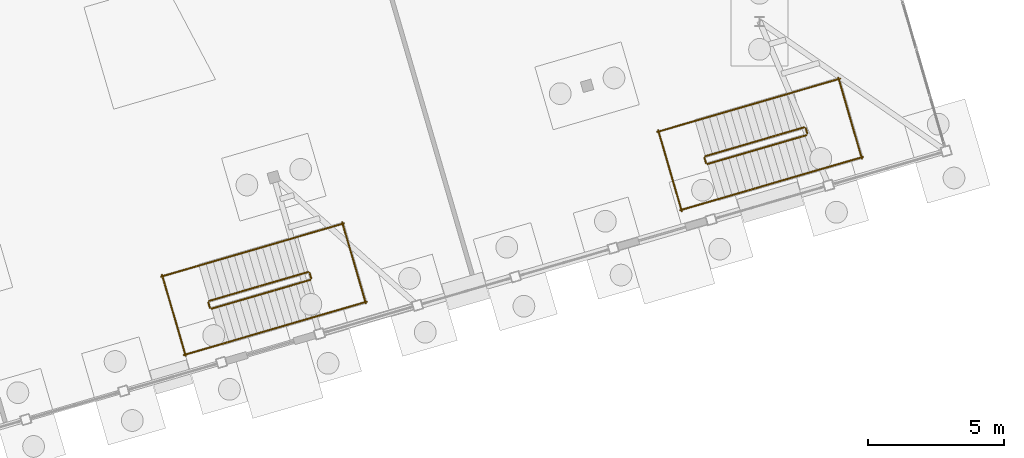
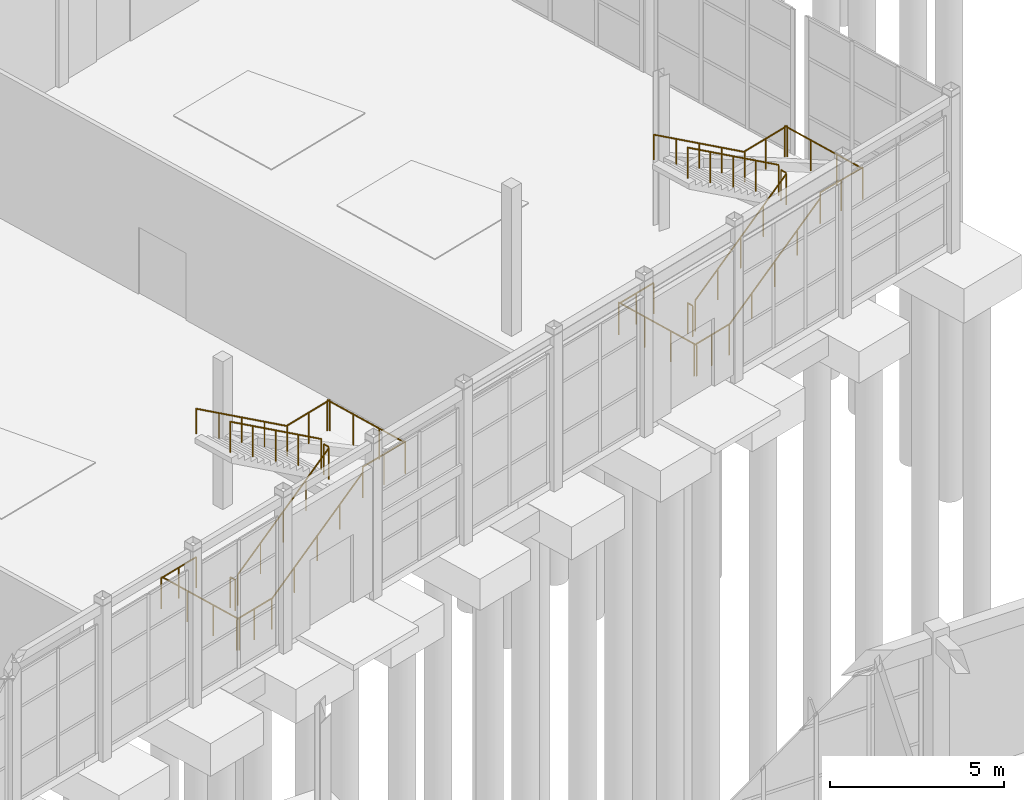
# One storey, part 82 of 90: 24 railings.
"""IFC4 building model written with IfcOpenShell, lengths in metres."""

from ifc_helpers import new_model, si_unit, direction, frame, origin, origin_2d, place, context, subcontext, project, spatial, circle, extrude, material, type_object, element, save


model = new_model("IFC4")

# Units and contexts
model_context = context("Model", 3, precision=1e-05, world=origin(), true_north=direction((0.0, 1.0)))
body_context = subcontext(model_context, "Body", "Model", "MODEL_VIEW")
ifc_project = project(units=[si_unit("LENGTHUNIT", "METRE"), si_unit("AREAUNIT", "SQUARE_METRE"), si_unit("VOLUMEUNIT", "CUBIC_METRE"), si_unit("PLANEANGLEUNIT", "RADIAN"), si_unit("MASSUNIT", "GRAM", prefix="KILO")], contexts=[model_context])

# Site, building, storey
site_placement = place(None, origin())
site = spatial("IfcSite", under=ifc_project, at=site_placement, CompositionType="ELEMENT")
building_placement = place(site_placement, origin())
building = spatial("IfcBuilding", under=site, at=building_placement, Name="Canggui Botanical Conservatory", CompositionType="ELEMENT")
storey_placement = place(building_placement, origin())
storey = spatial("IfcBuildingStorey", under=building, at=storey_placement, Name="L01", CompositionType="ELEMENT", Elevation=0.0)

# Railings
ifc_material = material(Name="Stainless Steel 304", Category="steel")
railing_type_1 = type_object("IfcRailingType", Name="RAIL-GUARD-1100", PredefinedType="BALUSTRADE", material=ifc_material)
railing_1_placement = place(storey_placement, frame((44.83203125, 51.325927734375, 0.179931640625)))
element("IfcRailing", 1, at=railing_1_placement, inside=storey, type_object=railing_type_1, Name="L01 ST-C1 stair guard 1", PredefinedType="BALUSTRADE", context=body_context, shape_type="SweptSolid", body=[
    extrude(circle(Radius=0.02392578125, at=origin_2d()), frame((0.0, 0.0, 1.076171875), z_axis=(0.798747453292, 0.233019508678, 0.554711108988), x_axis=(-0.280057044335, 0.95998336023, 0.0)), (0.0, 0.0, 1.0), 4.54296875),
    extrude(circle(Radius=0.02099609375, at=origin_2d()), origin(), (0.0, 0.0, 1.0), 1.052001953125),
    extrude(circle(Radius=0.02099609375, at=origin_2d()), frame((0.9072265625, 0.2646484375, 0.6298828125)), (0.0, 0.0, 1.0), 1.052001953125),
    extrude(circle(Radius=0.02099609375, at=origin_2d()), frame((1.814453125, 0.529296875, 1.260009765625)), (0.0, 0.0, 1.0), 1.052001953125),
    extrude(circle(Radius=0.02099609375, at=origin_2d()), frame((2.721435546875, 0.7939453125, 1.89013671875)), (0.0, 0.0, 1.0), 1.052001953125),
    extrude(circle(Radius=0.02099609375, at=origin_2d()), frame((3.628662109375, 1.05859375, 2.52001953125)), (0.0, 0.0, 1.0), 1.052001953125),
])
railing_2_placement = place(storey_placement, frame((48.494873046875, 52.4462890625, 2.699951171875)))
element("IfcRailing", 2, at=railing_2_placement, inside=storey, type_object=railing_type_1, Name="L01 ST-C1 stair guard 2", PredefinedType="BALUSTRADE", context=body_context, shape_type="SweptSolid", body=[
    extrude(circle(Radius=0.02392578125, at=origin_2d()), frame((0.0, 0.0, 1.076171875), z_axis=(-0.280515131821, 0.959849603229, 0.0), x_axis=(-0.959849603229, -0.280515131821, 0.0)), (0.0, 0.0, 1.0), 0.2001953125),
    extrude(circle(Radius=0.02099609375, at=origin_2d()), origin(), (0.0, 0.0, 1.0), 1.052001953125),
    extrude(circle(Radius=0.02099609375, at=origin_2d()), frame((-0.05615234375, 0.192138671875, 0.0)), (0.0, 0.0, 1.0), 1.052001953125),
])
for number, where, name in (
    (3, (48.8388671875, 51.08837890625, 2.699951171875), "L01 ST-C1 stair guard 3"),
    (4, (47.998779296875, 53.968505859375, 2.699951171875), "L01 ST-C1 stair guard 4"),
):
    element("IfcRailing", number, at=place(storey_placement, frame(where)), inside=storey, type_object=railing_type_1, Name=name, PredefinedType="BALUSTRADE", context=body_context, shape_type="SweptSolid", body=[
        extrude(circle(Radius=0.02392578125, at=origin_2d()), frame((0.0, 0.0, 1.076171875), z_axis=(0.96, 0.28, 0.0), x_axis=(-0.28, 0.96, 0.0)), (0.0, 0.0, 1.0), 1.77001953125),
        extrude(circle(Radius=0.02099609375, at=origin_2d()), origin(), (0.0, 0.0, 1.0), 1.052001953125),
        extrude(circle(Radius=0.02099609375, at=origin_2d()), frame((0.849609375, 0.247802734375, 0.0)), (0.0, 0.0, 1.0), 1.052001953125),
        extrude(circle(Radius=0.02099609375, at=origin_2d()), frame((1.69921875, 0.49560546875, 0.0)), (0.0, 0.0, 1.0), 1.052001953125),
    ])
railing_3_placement = place(storey_placement, frame((50.50390625, 51.52197265625, 2.699951171875)))
element("IfcRailing", 5, at=railing_3_placement, inside=storey, type_object=railing_type_1, Name="L01 ST-C1 stair guard 5", PredefinedType="BALUSTRADE", context=body_context, shape_type="SweptSolid", body=[
    extrude(circle(Radius=0.02392578125, at=origin_2d()), frame((0.0, 0.0, 1.076171875), z_axis=(-0.279969758402, 0.960008819949, 0.0), x_axis=(-0.960008819949, -0.279969758402, 0.0)), (0.0, 0.0, 1.0), 3.10009765625),
    extrude(circle(Radius=0.02099609375, at=origin_2d()), origin(), (0.0, 0.0, 1.0), 1.052001953125),
    extrude(circle(Radius=0.02099609375, at=origin_2d()), frame((-0.289306640625, 0.991943359375, 0.0)), (0.0, 0.0, 1.0), 1.052001953125),
    extrude(circle(Radius=0.02099609375, at=origin_2d()), frame((-0.57861328125, 1.984130859375, 0.0)), (0.0, 0.0, 1.0), 1.052001953125),
    extrude(circle(Radius=0.02099609375, at=origin_2d()), frame((-0.867919921875, 2.97607421875, 0.0)), (0.0, 0.0, 1.0), 1.052001953125),
])
railing_4_placement = place(storey_placement, frame((48.376708984375, 52.67236328125, 2.8798828125)))
element("IfcRailing", 6, at=railing_4_placement, inside=storey, type_object=railing_type_1, Name="L01 ST-C1 stair guard 6", PredefinedType="BALUSTRADE", context=body_context, shape_type="SweptSolid", body=[
    extrude(circle(Radius=0.02392578125, at=origin_2d()), frame((0.0, 0.0, 1.076171875), z_axis=(-0.79875745474, -0.232968685077, 0.554718054755), x_axis=(0.279997519744, -0.960000723404, 0.0)), (0.0, 0.0, 1.0), 4.54296875),
    extrude(circle(Radius=0.02099609375, at=origin_2d()), origin(), (0.0, 0.0, 1.0), 1.052001953125),
    extrude(circle(Radius=0.02099609375, at=origin_2d()), frame((-0.9072265625, -0.2646484375, 0.6298828125)), (0.0, 0.0, 1.0), 1.052001953125),
    extrude(circle(Radius=0.02099609375, at=origin_2d()), frame((-1.814453125, -0.529296875, 1.260009765625)), (0.0, 0.0, 1.0), 1.052001953125),
    extrude(circle(Radius=0.02099609375, at=origin_2d()), frame((-2.721435546875, -0.793701171875, 1.89013671875)), (0.0, 0.0, 1.0), 1.052001953125),
    extrude(circle(Radius=0.02099609375, at=origin_2d()), frame((-3.628662109375, -1.058349609375, 2.52001953125)), (0.0, 0.0, 1.0), 1.052001953125),
])
railing_5_placement = place(storey_placement, frame((44.77001953125, 51.360107421875, 0.0)))
element("IfcRailing", 7, at=railing_5_placement, inside=storey, type_object=railing_type_1, Name="L01 ST-C1 stair guard 7", PredefinedType="BALUSTRADE", context=body_context, shape_type="SweptSolid", body=[
    extrude(circle(Radius=0.02392578125, at=origin_2d()), frame((0.0, 0.0, 1.076171875), z_axis=(-0.279718559339, 0.960082042099, 0.0), x_axis=(-0.960082042099, -0.279718559339, 0.0)), (0.0, 0.0, 1.0), 0.199951171875),
    extrude(circle(Radius=0.02099609375, at=origin_2d()), origin(), (0.0, 0.0, 1.0), 1.052001953125),
    extrude(circle(Radius=0.02099609375, at=origin_2d()), frame((-0.055908203125, 0.19189453125, 0.0)), (0.0, 0.0, 1.0), 1.052001953125),
])
railing_6_placement = place(storey_placement, frame((43.818115234375, 49.6240234375, 0.0)))
element("IfcRailing", 8, at=railing_6_placement, inside=storey, type_object=railing_type_1, Name="L01 ST-C1 stair guard 8", PredefinedType="BALUSTRADE", context=body_context, shape_type="SweptSolid", body=[
    extrude(circle(Radius=0.02392578125, at=origin_2d()), frame((0.0, 0.0, 1.076171875), z_axis=(0.959990569624, 0.280032330694, 0.0), x_axis=(-0.280032330694, 0.959990569624, 0.0)), (0.0, 0.0, 1.0), 1.449951171875),
    extrude(circle(Radius=0.02099609375, at=origin_2d()), origin(), (0.0, 0.0, 1.0), 1.052001953125),
    extrude(circle(Radius=0.02099609375, at=origin_2d()), frame((0.69580078125, 0.203125, 0.0)), (0.0, 0.0, 1.0), 1.052001953125),
    extrude(circle(Radius=0.02099609375, at=origin_2d()), frame((1.391845703125, 0.406005859375, 0.0)), (0.0, 0.0, 1.0), 1.052001953125),
])
railing_7_placement = place(storey_placement, frame((42.97802734375, 52.50390625, 0.0)))
element("IfcRailing", 9, at=railing_7_placement, inside=storey, type_object=railing_type_1, Name="L01 ST-C1 stair guard 9", PredefinedType="BALUSTRADE", context=body_context, shape_type="SweptSolid", body=[
    extrude(circle(Radius=0.02392578125, at=origin_2d()), frame((0.0, 0.0, 1.076171875), z_axis=(0.960003771236, 0.279987069724, 0.0), x_axis=(-0.279987069724, 0.960003771236, 0.0)), (0.0, 0.0, 1.0), 1.4501953125),
    extrude(circle(Radius=0.02099609375, at=origin_2d()), origin(), (0.0, 0.0, 1.0), 1.052001953125),
    extrude(circle(Radius=0.02099609375, at=origin_2d()), frame((0.696044921875, 0.203125, 0.0)), (0.0, 0.0, 1.0), 1.052001953125),
    extrude(circle(Radius=0.02099609375, at=origin_2d()), frame((1.39208984375, 0.406005859375, 0.0)), (0.0, 0.0, 1.0), 1.052001953125),
])
railing_8_placement = place(storey_placement, frame((43.8798828125, 49.590087890625, 0.0)))
element("IfcRailing", 10, at=railing_8_placement, inside=storey, type_object=railing_type_1, Name="L01 ST-C1 stair guard 10", PredefinedType="BALUSTRADE", context=body_context, shape_type="SweptSolid", body=[
    extrude(circle(Radius=0.02392578125, at=origin_2d()), frame((0.0, 0.0, 1.076171875), z_axis=(-0.279990926864, 0.960002646285, 0.0), x_axis=(-0.960002646285, -0.279990926864, 0.0)), (0.0, 0.0, 1.0), 3.099853515625),
    extrude(circle(Radius=0.02099609375, at=origin_2d()), origin(), (0.0, 0.0, 1.0), 1.052001953125),
    extrude(circle(Radius=0.02099609375, at=origin_2d()), frame((-0.289306640625, 0.991943359375, 0.0)), (0.0, 0.0, 1.0), 1.052001953125),
    extrude(circle(Radius=0.02099609375, at=origin_2d()), frame((-0.57861328125, 1.98388671875, 0.0)), (0.0, 0.0, 1.0), 1.052001953125),
    extrude(circle(Radius=0.02099609375, at=origin_2d()), frame((-0.867919921875, 2.975830078125, 0.0)), (0.0, 0.0, 1.0), 1.052001953125),
])
railing_9_placement = place(storey_placement, frame((63.072021484375, 56.64599609375, 0.179931640625)))
element("IfcRailing", 11, at=railing_9_placement, inside=storey, type_object=railing_type_1, Name="L01 ST-C2 stair guard 1", PredefinedType="BALUSTRADE", context=body_context, shape_type="SweptSolid", body=[
    extrude(circle(Radius=0.02392578125, at=origin_2d()), frame((0.0, 0.0, 1.076171875), z_axis=(0.79875745474, 0.232968685077, 0.554718054755), x_axis=(-0.279997519744, 0.960000723404, 0.0)), (0.0, 0.0, 1.0), 4.54296875),
    extrude(circle(Radius=0.02099609375, at=origin_2d()), origin(), (0.0, 0.0, 1.0), 1.052001953125),
    extrude(circle(Radius=0.02099609375, at=origin_2d()), frame((0.9072265625, 0.2646484375, 0.6298828125)), (0.0, 0.0, 1.0), 1.052001953125),
    extrude(circle(Radius=0.02099609375, at=origin_2d()), frame((1.814453125, 0.529296875, 1.260009765625)), (0.0, 0.0, 1.0), 1.052001953125),
    extrude(circle(Radius=0.02099609375, at=origin_2d()), frame((2.721435546875, 0.793701171875, 1.89013671875)), (0.0, 0.0, 1.0), 1.052001953125),
    extrude(circle(Radius=0.02099609375, at=origin_2d()), frame((3.628662109375, 1.058349609375, 2.52001953125)), (0.0, 0.0, 1.0), 1.052001953125),
])
railing_10_placement = place(storey_placement, frame((66.73486328125, 57.766357421875, 2.699951171875)))
element("IfcRailing", 12, at=railing_10_placement, inside=storey, type_object=railing_type_1, Name="L01 ST-C2 stair guard 2", PredefinedType="BALUSTRADE", context=body_context, shape_type="SweptSolid", body=[
    extrude(circle(Radius=0.02392578125, at=origin_2d()), frame((0.0, 0.0, 1.076171875), z_axis=(-0.280515131821, 0.959849603229, 0.0), x_axis=(-0.959849603229, -0.280515131821, 0.0)), (0.0, 0.0, 1.0), 0.2001953125),
    extrude(circle(Radius=0.02099609375, at=origin_2d()), origin(), (0.0, 0.0, 1.0), 1.052001953125),
    extrude(circle(Radius=0.02099609375, at=origin_2d()), frame((-0.05615234375, 0.192138671875, 0.0)), (0.0, 0.0, 1.0), 1.052001953125),
])
for number, where, name in (
    (13, (67.078857421875, 56.408447265625, 2.699951171875), "L01 ST-C2 stair guard 3"),
    (14, (66.23876953125, 59.288330078125, 2.699951171875), "L01 ST-C2 stair guard 4"),
):
    element("IfcRailing", number, at=place(storey_placement, frame(where)), inside=storey, type_object=railing_type_1, Name=name, PredefinedType="BALUSTRADE", context=body_context, shape_type="SweptSolid", body=[
        extrude(circle(Radius=0.02392578125, at=origin_2d()), frame((0.0, 0.0, 1.076171875), z_axis=(0.96, 0.28, 0.0), x_axis=(-0.28, 0.96, 0.0)), (0.0, 0.0, 1.0), 1.77001953125),
        extrude(circle(Radius=0.02099609375, at=origin_2d()), origin(), (0.0, 0.0, 1.0), 1.052001953125),
        extrude(circle(Radius=0.02099609375, at=origin_2d()), frame((0.849609375, 0.247802734375, 0.0)), (0.0, 0.0, 1.0), 1.052001953125),
        extrude(circle(Radius=0.02099609375, at=origin_2d()), frame((1.69921875, 0.49560546875, 0.0)), (0.0, 0.0, 1.0), 1.052001953125),
    ])
railing_11_placement = place(storey_placement, frame((68.743896484375, 56.842041015625, 2.699951171875)))
element("IfcRailing", 15, at=railing_11_placement, inside=storey, type_object=railing_type_1, Name="L01 ST-C2 stair guard 5", PredefinedType="BALUSTRADE", context=body_context, shape_type="SweptSolid", body=[
    extrude(circle(Radius=0.02392578125, at=origin_2d()), frame((0.0, 0.0, 1.076171875), z_axis=(-0.279969758402, 0.960008819949, 0.0), x_axis=(-0.960008819949, -0.279969758402, 0.0)), (0.0, 0.0, 1.0), 3.10009765625),
    extrude(circle(Radius=0.02099609375, at=origin_2d()), origin(), (0.0, 0.0, 1.0), 1.052001953125),
    extrude(circle(Radius=0.02099609375, at=origin_2d()), frame((-0.289306640625, 0.991943359375, 0.0)), (0.0, 0.0, 1.0), 1.052001953125),
    extrude(circle(Radius=0.02099609375, at=origin_2d()), frame((-0.57861328125, 1.984130859375, 0.0)), (0.0, 0.0, 1.0), 1.052001953125),
    extrude(circle(Radius=0.02099609375, at=origin_2d()), frame((-0.867919921875, 2.97607421875, 0.0)), (0.0, 0.0, 1.0), 1.052001953125),
])
railing_12_placement = place(storey_placement, frame((66.61669921875, 57.992431640625, 2.8798828125)))
element("IfcRailing", 16, at=railing_12_placement, inside=storey, type_object=railing_type_1, Name="L01 ST-C2 stair guard 6", PredefinedType="BALUSTRADE", context=body_context, shape_type="SweptSolid", body=[
    extrude(circle(Radius=0.02392578125, at=origin_2d()), frame((0.0, 0.0, 1.076171875), z_axis=(-0.79875745474, -0.232968685077, 0.554718054755), x_axis=(0.279997519744, -0.960000723404, 0.0)), (0.0, 0.0, 1.0), 4.54296875),
    extrude(circle(Radius=0.02099609375, at=origin_2d()), origin(), (0.0, 0.0, 1.0), 1.052001953125),
    extrude(circle(Radius=0.02099609375, at=origin_2d()), frame((-0.9072265625, -0.2646484375, 0.6298828125)), (0.0, 0.0, 1.0), 1.052001953125),
    extrude(circle(Radius=0.02099609375, at=origin_2d()), frame((-1.814453125, -0.529296875, 1.260009765625)), (0.0, 0.0, 1.0), 1.052001953125),
    extrude(circle(Radius=0.02099609375, at=origin_2d()), frame((-2.721435546875, -0.793701171875, 1.89013671875)), (0.0, 0.0, 1.0), 1.052001953125),
    extrude(circle(Radius=0.02099609375, at=origin_2d()), frame((-3.628662109375, -1.058349609375, 2.52001953125)), (0.0, 0.0, 1.0), 1.052001953125),
])
railing_13_placement = place(storey_placement, frame((63.010009765625, 56.679931640625, 0.0)))
element("IfcRailing", 17, at=railing_13_placement, inside=storey, type_object=railing_type_1, Name="L01 ST-C2 stair guard 7", PredefinedType="BALUSTRADE", context=body_context, shape_type="SweptSolid", body=[
    extrude(circle(Radius=0.02392578125, at=origin_2d()), frame((0.0, 0.0, 1.076171875), z_axis=(-0.279390895899, 0.96017744573, 0.0), x_axis=(-0.96017744573, -0.279390895899, 0.0)), (0.0, 0.0, 1.0), 0.2001953125),
    extrude(circle(Radius=0.02099609375, at=origin_2d()), origin(), (0.0, 0.0, 1.0), 1.052001953125),
    extrude(circle(Radius=0.02099609375, at=origin_2d()), frame((-0.055908203125, 0.192138671875, 0.0)), (0.0, 0.0, 1.0), 1.052001953125),
])
railing_14_placement = place(storey_placement, frame((62.05810546875, 54.944091796875, 0.0)))
element("IfcRailing", 18, at=railing_14_placement, inside=storey, type_object=railing_type_1, Name="L01 ST-C2 stair guard 8", PredefinedType="BALUSTRADE", context=body_context, shape_type="SweptSolid", body=[
    extrude(circle(Radius=0.02392578125, at=origin_2d()), frame((0.0, 0.0, 1.076171875), z_axis=(0.959990569624, 0.280032330694, 0.0), x_axis=(-0.280032330694, 0.959990569624, 0.0)), (0.0, 0.0, 1.0), 1.449951171875),
    extrude(circle(Radius=0.02099609375, at=origin_2d()), origin(), (0.0, 0.0, 1.0), 1.052001953125),
    extrude(circle(Radius=0.02099609375, at=origin_2d()), frame((0.69580078125, 0.203125, 0.0)), (0.0, 0.0, 1.0), 1.052001953125),
    extrude(circle(Radius=0.02099609375, at=origin_2d()), frame((1.391845703125, 0.406005859375, 0.0)), (0.0, 0.0, 1.0), 1.052001953125),
])
railing_15_placement = place(storey_placement, frame((61.218017578125, 57.823974609375, 0.0)))
element("IfcRailing", 19, at=railing_15_placement, inside=storey, type_object=railing_type_1, Name="L01 ST-C2 stair guard 9", PredefinedType="BALUSTRADE", context=body_context, shape_type="SweptSolid", body=[
    extrude(circle(Radius=0.02392578125, at=origin_2d()), frame((0.0, 0.0, 1.076171875), z_axis=(0.960003771236, 0.279987069724, 0.0), x_axis=(-0.279987069724, 0.960003771236, 0.0)), (0.0, 0.0, 1.0), 1.4501953125),
    extrude(circle(Radius=0.02099609375, at=origin_2d()), origin(), (0.0, 0.0, 1.0), 1.052001953125),
    extrude(circle(Radius=0.02099609375, at=origin_2d()), frame((0.696044921875, 0.203125, 0.0)), (0.0, 0.0, 1.0), 1.052001953125),
    extrude(circle(Radius=0.02099609375, at=origin_2d()), frame((1.39208984375, 0.406005859375, 0.0)), (0.0, 0.0, 1.0), 1.052001953125),
])
railing_16_placement = place(storey_placement, frame((62.1201171875, 54.909912109375, 0.0)))
element("IfcRailing", 20, at=railing_16_placement, inside=storey, type_object=railing_type_1, Name="L01 ST-C2 stair guard 10", PredefinedType="BALUSTRADE", context=body_context, shape_type="SweptSolid", body=[
    extrude(circle(Radius=0.02392578125, at=origin_2d()), frame((0.0, 0.0, 1.076171875), z_axis=(-0.280042336837, 0.959987650743, 0.0), x_axis=(-0.959987650743, -0.280042336837, 0.0)), (0.0, 0.0, 1.0), 3.10009765625),
    extrude(circle(Radius=0.02099609375, at=origin_2d()), origin(), (0.0, 0.0, 1.0), 1.052001953125),
    extrude(circle(Radius=0.02099609375, at=origin_2d()), frame((-0.289306640625, 0.991943359375, 0.0)), (0.0, 0.0, 1.0), 1.052001953125),
    extrude(circle(Radius=0.02099609375, at=origin_2d()), frame((-0.578857421875, 1.984130859375, 0.0)), (0.0, 0.0, 1.0), 1.052001953125),
    extrude(circle(Radius=0.02099609375, at=origin_2d()), frame((-0.8681640625, 2.97607421875, 0.0)), (0.0, 0.0, 1.0), 1.052001953125),
])
railing_type_2 = type_object("IfcRailingType", Name="RAIL-HAND-900", PredefinedType="HANDRAIL", material=ifc_material)
railing_17_placement = place(storey_placement, frame((45.2099609375, 50.030029296875, 0.179931640625)))
element("IfcRailing", 21, at=railing_17_placement, inside=storey, type_object=railing_type_2, Name="L01 ST-C1 stair handrail 1", PredefinedType="HANDRAIL", context=body_context, shape_type="SweptSolid", body=[
    extrude(circle(Radius=0.02392578125, at=origin_2d()), frame((0.0, 0.0, 0.8759765625), z_axis=(0.798776907126, 0.232958684903, 0.554694243498), x_axis=(-0.279980159132, 0.960005786697, 0.0)), (0.0, 0.0, 1.0), 4.54296875),
    extrude(circle(Radius=0.02099609375, at=origin_2d()), origin(), (0.0, 0.0, 1.0), 0.851806640625),
    extrude(circle(Radius=0.02099609375, at=origin_2d()), frame((0.9072265625, 0.2646484375, 0.6298828125)), (0.0, 0.0, 1.0), 0.851806640625),
    extrude(circle(Radius=0.02099609375, at=origin_2d()), frame((1.814453125, 0.529296875, 1.260009765625)), (0.0, 0.0, 1.0), 0.851806640625),
    extrude(circle(Radius=0.02099609375, at=origin_2d()), frame((2.7216796875, 0.793701171875, 1.89013671875)), (0.0, 0.0, 1.0), 0.851806640625),
    extrude(circle(Radius=0.02099609375, at=origin_2d()), frame((3.62890625, 1.058349609375, 2.52001953125)), (0.0, 0.0, 1.0), 0.851806640625),
])
railing_18_placement = place(storey_placement, frame((47.998779296875, 53.968505859375, 2.8798828125)))
element("IfcRailing", 22, at=railing_18_placement, inside=storey, type_object=railing_type_2, Name="L01 ST-C1 stair handrail 2", PredefinedType="HANDRAIL", context=body_context, shape_type="SweptSolid", body=[
    extrude(circle(Radius=0.02392578125, at=origin_2d()), frame((0.0, 0.0, 0.8759765625), z_axis=(-0.798747453292, -0.233019508678, 0.554711108988), x_axis=(0.280057044335, -0.95998336023, 0.0)), (0.0, 0.0, 1.0), 4.54296875),
    extrude(circle(Radius=0.02099609375, at=origin_2d()), origin(), (0.0, 0.0, 1.0), 0.851806640625),
    extrude(circle(Radius=0.02099609375, at=origin_2d()), frame((-0.9072265625, -0.2646484375, 0.6298828125)), (0.0, 0.0, 1.0), 0.851806640625),
    extrude(circle(Radius=0.02099609375, at=origin_2d()), frame((-1.814453125, -0.529296875, 1.260009765625)), (0.0, 0.0, 1.0), 0.851806640625),
    extrude(circle(Radius=0.02099609375, at=origin_2d()), frame((-2.721435546875, -0.7939453125, 1.89013671875)), (0.0, 0.0, 1.0), 0.851806640625),
    extrude(circle(Radius=0.02099609375, at=origin_2d()), frame((-3.628662109375, -1.05859375, 2.52001953125)), (0.0, 0.0, 1.0), 0.851806640625),
])
railing_19_placement = place(storey_placement, frame((63.449951171875, 55.35009765625, 0.179931640625)))
element("IfcRailing", 23, at=railing_19_placement, inside=storey, type_object=railing_type_2, Name="L01 ST-C2 stair handrail 1", PredefinedType="HANDRAIL", context=body_context, shape_type="SweptSolid", body=[
    extrude(circle(Radius=0.02392578125, at=origin_2d()), frame((0.0, 0.0, 0.8759765625), z_axis=(0.798776907126, 0.232958684903, 0.554694243498), x_axis=(-0.279980159132, 0.960005786697, 0.0)), (0.0, 0.0, 1.0), 4.54296875),
    extrude(circle(Radius=0.02099609375, at=origin_2d()), origin(), (0.0, 0.0, 1.0), 0.851806640625),
    extrude(circle(Radius=0.02099609375, at=origin_2d()), frame((0.9072265625, 0.2646484375, 0.6298828125)), (0.0, 0.0, 1.0), 0.851806640625),
    extrude(circle(Radius=0.02099609375, at=origin_2d()), frame((1.814453125, 0.529296875, 1.260009765625)), (0.0, 0.0, 1.0), 0.851806640625),
    extrude(circle(Radius=0.02099609375, at=origin_2d()), frame((2.7216796875, 0.793701171875, 1.89013671875)), (0.0, 0.0, 1.0), 0.851806640625),
    extrude(circle(Radius=0.02099609375, at=origin_2d()), frame((3.62890625, 1.058349609375, 2.52001953125)), (0.0, 0.0, 1.0), 0.851806640625),
])
railing_20_placement = place(storey_placement, frame((66.23876953125, 59.288330078125, 2.8798828125)))
element("IfcRailing", 24, at=railing_20_placement, inside=storey, type_object=railing_type_2, Name="L01 ST-C2 stair handrail 2", PredefinedType="HANDRAIL", context=body_context, shape_type="SweptSolid", body=[
    extrude(circle(Radius=0.02392578125, at=origin_2d()), frame((0.0, 0.0, 0.8759765625), z_axis=(-0.79875745474, -0.232968685077, 0.554718054755), x_axis=(0.279997519744, -0.960000723404, 0.0)), (0.0, 0.0, 1.0), 4.54296875),
    extrude(circle(Radius=0.02099609375, at=origin_2d()), origin(), (0.0, 0.0, 1.0), 0.851806640625),
    extrude(circle(Radius=0.02099609375, at=origin_2d()), frame((-0.9072265625, -0.2646484375, 0.6298828125)), (0.0, 0.0, 1.0), 0.851806640625),
    extrude(circle(Radius=0.02099609375, at=origin_2d()), frame((-1.814453125, -0.529296875, 1.260009765625)), (0.0, 0.0, 1.0), 0.851806640625),
    extrude(circle(Radius=0.02099609375, at=origin_2d()), frame((-2.721435546875, -0.793701171875, 1.89013671875)), (0.0, 0.0, 1.0), 0.851806640625),
    extrude(circle(Radius=0.02099609375, at=origin_2d()), frame((-3.628662109375, -1.058349609375, 2.52001953125)), (0.0, 0.0, 1.0), 0.851806640625),
])

save(model, "model.ifc")
